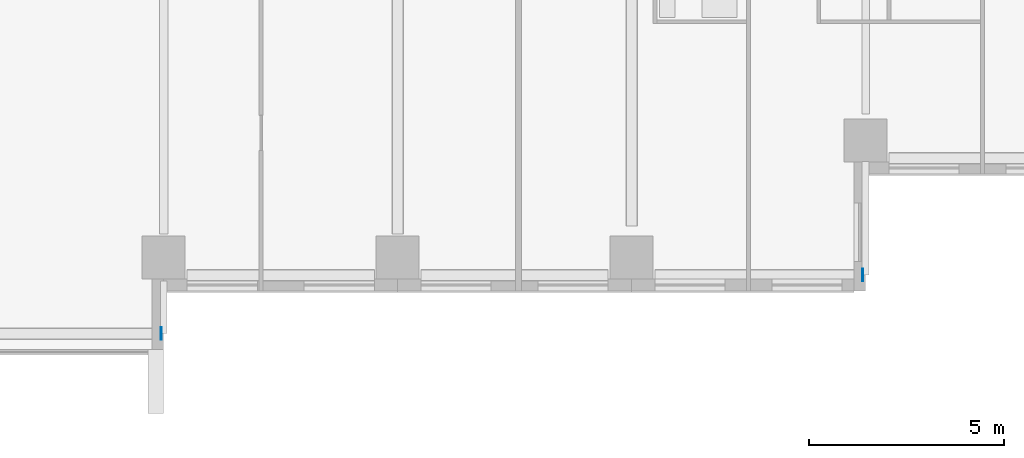
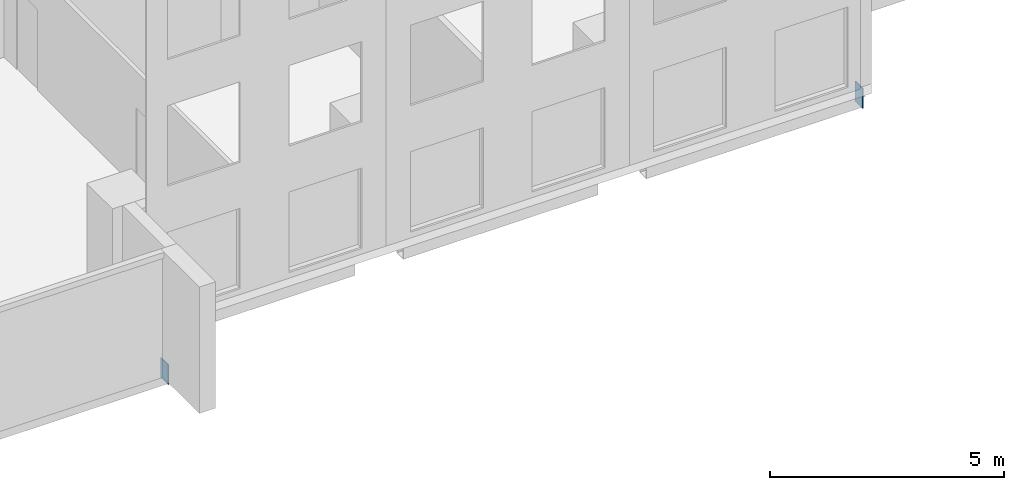
# One storey, part 9 of 13: 2 discrete accessories.
"""IFC4 building model written with IfcOpenShell, lengths in metres."""

from ifc_helpers import new_model, si_unit, direction, frame, origin, origin_2d, place, context, subcontext, project, spatial, rectangle, extrude, element, save


model = new_model("IFC4")

# Units and contexts
model_context = context("Model", 3, precision=1e-05, world=origin(), true_north=direction((0.0, 1.0)))
body_context = subcontext(model_context, "Body", "Model", "MODEL_VIEW")
ifc_project = project(units=[si_unit("LENGTHUNIT", "METRE"), si_unit("AREAUNIT", "SQUARE_METRE"), si_unit("VOLUMEUNIT", "CUBIC_METRE"), si_unit("PLANEANGLEUNIT", "RADIAN"), si_unit("MASSUNIT", "GRAM", prefix="KILO")], contexts=[model_context])

# Site, building, storey
site_placement = place(None, origin())
site = spatial("IfcSite", under=ifc_project, at=site_placement, CompositionType="ELEMENT")
building_placement = place(site_placement, origin())
building = spatial("IfcBuilding", under=site, at=building_placement, Name="Amberfall Residences", CompositionType="ELEMENT")
storey_placement = place(building_placement, frame((0.0, 0.0, 78.699951171875)))
storey = spatial("IfcBuildingStorey", under=building, at=storey_placement, Name="L20", CompositionType="ELEMENT", Elevation=78.699951171875)

# Discrete accessories
for number, where, z_axis, x_axis, name in (
    (1, (65.532470703125, 20.39990234375, -0.760009765625), (0.0, 0.0, 1.0), (1.0, 0.0, 0.0), "End cap plate L20"),
    (2, (83.532470703125, 21.89990234375, -0.760009765625), (0.0, 0.0, 1.0), (1.0, 0.0, 0.0), "End cap plate L20"),
):
    element("IfcDiscreteAccessory", number, at=place(storey_placement, frame(where, z_axis=z_axis, x_axis=x_axis)), inside=storey, Name=name, PredefinedType="BRACKET", context=body_context, shape_type="SweptSolid", body=[
        extrude(rectangle(XDim=0.02490234375, YDim=0.320068359375, at=origin_2d()), origin(), (0.0, 0.0, 1.0), 0.52001953125),
    ])

save(model, "model.ifc")
